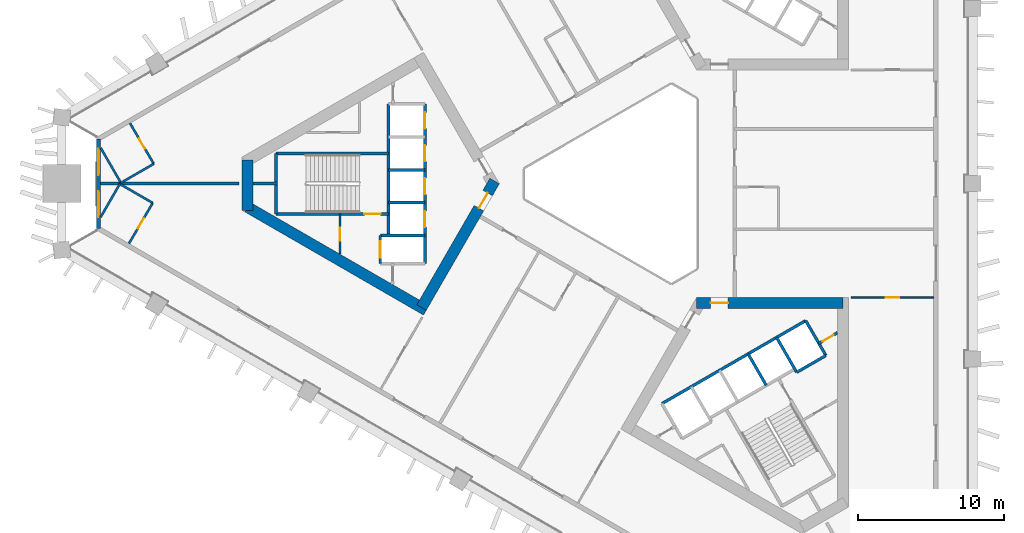
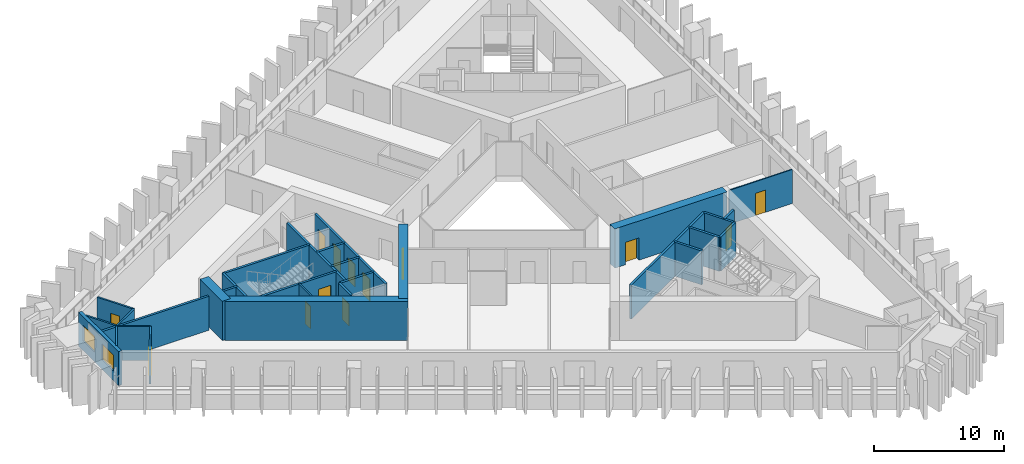
# One storey, part 4 of 11: 30 walls, 13 doors, 2 windows, 15 openings.
"""IFC4 building model written with IfcOpenShell, lengths in metres."""

from ifc_helpers import new_model, si_unit, direction, frame, frame_2d, origin, place, context, subcontext, project, spatial, rectangle, extrude, material, layer, layer_set, type_object, element, fill, save


model = new_model("IFC4")

# Units and contexts
model_context = context("Model", 3, precision=1e-05, world=origin(), true_north=direction((0.0, 1.0)))
body_context = subcontext(model_context, "Body", "Model", "MODEL_VIEW")
ifc_project = project(units=[si_unit("LENGTHUNIT", "METRE"), si_unit("AREAUNIT", "SQUARE_METRE"), si_unit("VOLUMEUNIT", "CUBIC_METRE"), si_unit("PLANEANGLEUNIT", "RADIAN"), si_unit("MASSUNIT", "GRAM", prefix="KILO")], contexts=[model_context])

# Site, building, storey
site_placement = place(None, origin())
site = spatial("IfcSite", under=ifc_project, at=site_placement, CompositionType="ELEMENT")
building_placement = place(site_placement, origin())
building = spatial("IfcBuilding", under=site, at=building_placement, Name="Jabali Bay Hotel Tower and Convention Centre", CompositionType="ELEMENT")
storey_placement = place(building_placement, frame((0.0, 0.0, 61.0)))
storey = spatial("IfcBuildingStorey", under=building, at=storey_placement, Name="L13", CompositionType="ELEMENT", Elevation=61.0)

# Wall
ifc_material_1 = material(Name="Concrete C40", Category="concrete")
ifc_layer_1 = layer(ifc_material_1, 0.199951171875)
ifc_layer_set_1 = layer_set([ifc_layer_1], Name="Concrete C40")
wall_type_1 = type_object("IfcWallType", Name="Core partition wall 200", PredefinedType="PARTITIONING", material=ifc_layer_set_1)
wall_1_placement = place(storey_placement, frame((50.820068359375, 80.0, 0.0), z_axis=(0.0, 0.0, 1.0), x_axis=(-1.0, 0.0, 0.0)))
element("IfcWall", 1, at=wall_1_placement, inside=storey, type_object=wall_type_1, Name="Core wall 0.5 L13", PredefinedType="PARTITIONING", context=body_context, shape_type="SweptSolid", body=[
    extrude(rectangle(XDim=1.673095703125, YDim=0.199951171875, at=frame_2d((0.83642578125, 0.0))), origin(), (0.0, 0.0, 1.0), 3.199951171875),
])

# Wall, opening, door
wall_2_placement = place(storey_placement, frame((87.86474609375, 69.067626953125, 0.0), z_axis=(0.0, 0.0, 1.0), x_axis=(0.865982457891, 0.500074377092, 0.0)))
wall_2 = element("IfcWall", 2, at=wall_2_placement, inside=storey, type_object=wall_type_1, Name="Core wall 2.12 L13", PredefinedType="PARTITIONING", context=body_context, shape_type="SweptSolid", body=[
    extrude(rectangle(XDim=1.461181640625, YDim=0.199951171875, at=frame_2d((0.73046875, 0.0))), origin(), (0.0, 0.0, 1.0), 3.199951171875),
])
opening_1_placement = place(wall_2_placement, frame((0.280517578125, 0.0, 0.0)))
opening_1 = element("IfcOpeningElement", 3, at=opening_1_placement, cuts=wall_2, Name="Opening D362", PredefinedType="OPENING", context=body_context, shape_type="SweptSolid", body=[
    extrude(rectangle(XDim=0.89990234375, YDim=2.10009765625, at=frame_2d((0.449951171875, 1.050048828125))), frame((0.0, 0.1103515625, 0.0), z_axis=(0.0, -1.0, 0.0), x_axis=(1.0, 0.0, 0.0)), (0.0, 0.0, 1.0), 0.220947265625),
])
ifc_material_2 = material(Name="Fire-rated steel door", Category="steel")
door_type_1 = type_object("IfcDoorType", Name="Vestibule fire door 900 x 2100", OperationType="NOTDEFINED", PredefinedType="NOTDEFINED", material=ifc_material_2)
door_1_placement = place(opening_1_placement, origin())
door_1 = element("IfcDoor", 4, at=door_1_placement, inside=storey, type_object=door_type_1, Name="Vestibule fire door D362", OperationType="SINGLE_SWING_LEFT", OverallHeight=2.10009765625, OverallWidth=0.89990234375, PredefinedType="NOTDEFINED", context=body_context, shape_type="SweptSolid", body=[
    extrude(rectangle(XDim=0.89990234375, YDim=2.10009765625, at=frame_2d((0.449951171875, 1.050048828125))), frame((0.0, 0.02490234375, 0.0), z_axis=(0.0, -1.0, 0.0), x_axis=(1.0, 0.0, 0.0)), (0.0, 0.0, 1.0), 0.050048828125),
])
fill(opening_1, door_1)

ifc_material_3 = material(Name="Fire-rated board partition")
ifc_layer_2 = layer(ifc_material_3, 0.14990234375)
ifc_layer_set_2 = layer_set([ifc_layer_2], Name="Fire-rated board partition")
wall_type_2 = type_object("IfcWallType", Name="Core room partition 150", PredefinedType="PARTITIONING", material=ifc_layer_set_2)
wall_3_placement = place(storey_placement, frame((55.10009765625, 77.925048828125, 0.0), z_axis=(0.0, 0.0, 1.0), x_axis=(0.0, -1.0, 0.0)))
wall_3 = element("IfcWall", 5, at=wall_3_placement, inside=storey, type_object=wall_type_2, Name="Core wall 0.16 L13", PredefinedType="PARTITIONING", context=body_context, shape_type="SweptSolid", body=[
    extrude(rectangle(XDim=2.751708984375, YDim=0.14990234375, at=frame_2d((1.3759765625, 0.0))), origin(), (0.0, 0.0, 1.0), 3.199951171875),
])
opening_2_placement = place(wall_3_placement, frame((0.92578125, 0.0, 0.0)))
opening_2 = element("IfcOpeningElement", 6, at=opening_2_placement, cuts=wall_3, Name="Opening D347", PredefinedType="OPENING", context=body_context, shape_type="SweptSolid", body=[
    extrude(rectangle(XDim=0.89990234375, YDim=2.10009765625, at=frame_2d((0.449951171875, 1.050048828125))), frame((0.0, 0.08544921875, 0.0), z_axis=(0.0, -1.0, 0.0), x_axis=(1.0, 0.0, 0.0)), (0.0, 0.0, 1.0), 0.1708984375),
])
door_type_2 = type_object("IfcDoorType", Name="Core room door 900 x 2100", OperationType="NOTDEFINED", PredefinedType="NOTDEFINED", material=ifc_material_2)
door_2_placement = place(opening_2_placement, origin())
door_2 = element("IfcDoor", 7, at=door_2_placement, inside=storey, type_object=door_type_2, Name="Core room door D347", OperationType="SINGLE_SWING_LEFT", OverallHeight=2.10009765625, OverallWidth=0.89990234375, PredefinedType="NOTDEFINED", context=body_context, shape_type="SweptSolid", body=[
    extrude(rectangle(XDim=0.89990234375, YDim=2.10009765625, at=frame_2d((0.449951171875, 1.050048828125))), frame((0.0, 0.02490234375, 0.0), z_axis=(0.0, -1.0, 0.0), x_axis=(1.0, 0.0, 0.0)), (0.0, 0.0, 1.0), 0.050048828125),
])
fill(opening_2, door_2)

# Walls
ifc_layer_3 = layer(ifc_material_1, 0.199951171875)
ifc_layer_set_3 = layer_set([ifc_layer_3], Name="Concrete C40")
wall_type_3 = type_object("IfcWallType", Name="Core stair wall 200", PredefinedType="SOLIDWALL", material=ifc_layer_set_3)
wall_4_placement = place(storey_placement, frame((58.419921875, 82.074951171875, 0.0), z_axis=(0.0, 0.0, 1.0), x_axis=(-1.0, 0.0, 0.0)))
element("IfcWall", 8, at=wall_4_placement, inside=storey, type_object=wall_type_3, Name="Core wall 0.3 L13", PredefinedType="SOLIDWALL", context=body_context, shape_type="SweptSolid", body=[
    extrude(rectangle(XDim=7.699951171875, YDim=0.199951171875, at=frame_2d((3.85009765625, 0.0))), origin(), (0.0, 0.0, 1.0), 3.199951171875),
])
for number, where, z_axis, x_axis, name in (
    (9, (60.89990234375, 80.949951171875, 0.0), (0.0, 0.0, 1.0), (-1.0, 0.0, 0.0), "Core wall 0.4 L13"),
    (10, (60.89990234375, 78.699951171875, 0.0), (0.0, 0.0, 1.0), (-1.0, 0.0, 0.0), "Core wall 0.6 L13"),
):
    element("IfcWall", number, at=place(storey_placement, frame(where, z_axis=z_axis, x_axis=x_axis)), inside=storey, type_object=wall_type_3, Name=name, PredefinedType="SOLIDWALL", context=body_context, shape_type="SweptSolid", body=[
        extrude(rectangle(XDim=2.47998046875, YDim=0.199951171875, at=frame_2d((1.239990234375, 0.0))), origin(), (0.0, 0.0, 1.0), 3.199951171875),
    ])

# Wall, opening, door
wall_5_placement = place(storey_placement, frame((58.419921875, 77.925048828125, 0.0), z_axis=(0.0, 0.0, 1.0), x_axis=(-1.0, 0.0, 0.0)))
wall_5 = element("IfcWall", 11, at=wall_5_placement, inside=storey, type_object=wall_type_3, Name="Core wall 0.7 L13", PredefinedType="SOLIDWALL", context=body_context, shape_type="SweptSolid", body=[
    extrude(rectangle(XDim=7.699951171875, YDim=0.199951171875, at=frame_2d((3.85009765625, 0.0))), origin(), (0.0, 0.0, 1.0), 3.199951171875),
])
opening_3_placement = place(wall_5_placement, frame((0.550048828125, 0.0, 0.0)))
opening_3 = element("IfcOpeningElement", 12, at=opening_3_placement, cuts=wall_5, Name="Opening D350", PredefinedType="OPENING", context=body_context, shape_type="SweptSolid", body=[
    extrude(rectangle(XDim=1.10009765625, YDim=2.10009765625, at=frame_2d((0.550048828125, 1.050048828125))), frame((0.0, 0.1103515625, 0.0), z_axis=(0.0, -1.0, 0.0), x_axis=(1.0, 0.0, 0.0)), (0.0, 0.0, 1.0), 0.220947265625),
])
door_type_3 = type_object("IfcDoorType", Name="Stair fire door 1100 x 2100", OperationType="NOTDEFINED", PredefinedType="NOTDEFINED", material=ifc_material_2)
door_3_placement = place(opening_3_placement, origin())
door_3 = element("IfcDoor", 13, at=door_3_placement, inside=storey, type_object=door_type_3, Name="Stair fire door D350", OperationType="SINGLE_SWING_RIGHT", OverallHeight=2.10009765625, OverallWidth=1.10009765625, PredefinedType="NOTDEFINED", context=body_context, shape_type="SweptSolid", body=[
    extrude(rectangle(XDim=1.10009765625, YDim=2.10009765625, at=frame_2d((0.550048828125, 1.050048828125))), frame((0.0, 0.02490234375, 0.0), z_axis=(0.0, -1.0, 0.0), x_axis=(1.0, 0.0, 0.0)), (0.0, 0.0, 1.0), 0.050048828125),
])
fill(opening_3, door_3)

# Wall
wall_6_placement = place(storey_placement, frame((60.89990234375, 76.449951171875, 0.0), z_axis=(0.0, 0.0, 1.0), x_axis=(-1.0, 0.0, 0.0)))
element("IfcWall", 14, at=wall_6_placement, inside=storey, type_object=wall_type_3, Name="Core wall 0.8 L13", PredefinedType="SOLIDWALL", context=body_context, shape_type="SweptSolid", body=[
    extrude(rectangle(XDim=3.0498046875, YDim=0.199951171875, at=frame_2d((1.52490234375, 0.0))), origin(), (0.0, 0.0, 1.0), 3.199951171875),
])

# Wall, openings, doors
wall_7_placement = place(storey_placement, frame((60.89990234375, 85.449951171875, 0.0), z_axis=(0.0, 0.0, 1.0), x_axis=(0.0, -1.0, 0.0)))
wall_7 = element("IfcWall", 15, at=wall_7_placement, inside=storey, type_object=wall_type_3, Name="Core wall 0.10 L13", PredefinedType="SOLIDWALL", context=body_context, shape_type="SweptSolid", body=[
    extrude(rectangle(XDim=10.89990234375, YDim=0.199951171875, at=frame_2d((5.449951171875, 0.0))), origin(), (0.0, 0.0, 1.0), 3.199951171875),
])
opening_4_placement = place(wall_7_placement, frame((0.574951171875, 0.0, 0.0)))
opening_4 = element("IfcOpeningElement", 16, at=opening_4_placement, cuts=wall_7, Name="Opening LD1-L13", PredefinedType="OPENING", context=body_context, shape_type="SweptSolid", body=[
    extrude(rectangle(XDim=1.10009765625, YDim=2.10009765625, at=frame_2d((0.550048828125, 1.050048828125))), frame((0.0, 0.1103515625, 0.0), z_axis=(0.0, -1.0, 0.0), x_axis=(1.0, 0.0, 0.0)), (0.0, 0.0, 1.0), 0.220947265625),
])
opening_5_placement = place(wall_7_placement, frame((2.824951171875, 0.0, 0.0)))
opening_5 = element("IfcOpeningElement", 17, at=opening_5_placement, cuts=wall_7, Name="Opening LD2-L13", PredefinedType="OPENING", context=body_context, shape_type="SweptSolid", body=[
    extrude(rectangle(XDim=1.10009765625, YDim=2.10009765625, at=frame_2d((0.550048828125, 1.050048828125))), frame((0.0, 0.1103515625, 0.0), z_axis=(0.0, -1.0, 0.0), x_axis=(1.0, 0.0, 0.0)), (0.0, 0.0, 1.0), 0.220947265625),
])
opening_6_placement = place(wall_7_placement, frame((5.074951171875, 0.0, 0.0)))
opening_6 = element("IfcOpeningElement", 18, at=opening_6_placement, cuts=wall_7, Name="Opening LD3-L13", PredefinedType="OPENING", context=body_context, shape_type="SweptSolid", body=[
    extrude(rectangle(XDim=1.10009765625, YDim=2.10009765625, at=frame_2d((0.550048828125, 1.050048828125))), frame((0.0, 0.1103515625, 0.0), z_axis=(0.0, -1.0, 0.0), x_axis=(1.0, 0.0, 0.0)), (0.0, 0.0, 1.0), 0.220947265625),
])
opening_7_placement = place(wall_7_placement, frame((7.324951171875, 0.0, 0.0)))
opening_7 = element("IfcOpeningElement", 19, at=opening_7_placement, cuts=wall_7, Name="Opening LD4-L13", PredefinedType="OPENING", context=body_context, shape_type="SweptSolid", body=[
    extrude(rectangle(XDim=1.10009765625, YDim=2.10009765625, at=frame_2d((0.550048828125, 1.050048828125))), frame((0.0, 0.1103515625, 0.0), z_axis=(0.0, -1.0, 0.0), x_axis=(1.0, 0.0, 0.0)), (0.0, 0.0, 1.0), 0.220947265625),
])
ifc_material_4 = material(Name="Stainless steel landing door", Category="steel")
door_type_4 = type_object("IfcDoorType", Name="Landing door 1100 x 2100", OperationType="NOTDEFINED", PredefinedType="NOTDEFINED", material=ifc_material_4)
door_4_placement = place(opening_4_placement, origin())
door_4 = element("IfcDoor", 20, at=door_4_placement, inside=storey, type_object=door_type_4, Name="Landing doors LD1-L13", OperationType="SLIDING_TO_RIGHT", OverallHeight=2.10009765625, OverallWidth=1.10009765625, PredefinedType="NOTDEFINED", context=body_context, shape_type="SweptSolid", body=[
    extrude(rectangle(XDim=1.10009765625, YDim=2.10009765625, at=frame_2d((0.550048828125, 1.050048828125))), frame((0.0, 0.02490234375, 0.0), z_axis=(0.0, -1.0, 0.0), x_axis=(1.0, 0.0, 0.0)), (0.0, 0.0, 1.0), 0.050048828125),
])
fill(opening_4, door_4)
door_5_placement = place(opening_5_placement, origin())
door_5 = element("IfcDoor", 21, at=door_5_placement, inside=storey, type_object=door_type_4, Name="Landing doors LD2-L13", OperationType="SLIDING_TO_LEFT", OverallHeight=2.10009765625, OverallWidth=1.10009765625, PredefinedType="NOTDEFINED", context=body_context, shape_type="SweptSolid", body=[
    extrude(rectangle(XDim=1.10009765625, YDim=2.10009765625, at=frame_2d((0.550048828125, 1.050048828125))), frame((0.0, 0.02490234375, 0.0), z_axis=(0.0, -1.0, 0.0), x_axis=(1.0, 0.0, 0.0)), (0.0, 0.0, 1.0), 0.050048828125),
])
fill(opening_5, door_5)
door_6_placement = place(opening_6_placement, origin())
door_6 = element("IfcDoor", 22, at=door_6_placement, inside=storey, type_object=door_type_4, Name="Landing doors LD3-L13", OperationType="SLIDING_TO_RIGHT", OverallHeight=2.10009765625, OverallWidth=1.10009765625, PredefinedType="NOTDEFINED", context=body_context, shape_type="SweptSolid", body=[
    extrude(rectangle(XDim=1.10009765625, YDim=2.10009765625, at=frame_2d((0.550048828125, 1.050048828125))), frame((0.0, 0.02490234375, 0.0), z_axis=(0.0, -1.0, 0.0), x_axis=(1.0, 0.0, 0.0)), (0.0, 0.0, 1.0), 0.050048828125),
])
fill(opening_6, door_6)
door_7_placement = place(opening_7_placement, origin())
door_7 = element("IfcDoor", 23, at=door_7_placement, inside=storey, type_object=door_type_4, Name="Landing doors LD4-L13", OperationType="SLIDING_TO_LEFT", OverallHeight=2.10009765625, OverallWidth=1.10009765625, PredefinedType="NOTDEFINED", context=body_context, shape_type="SweptSolid", body=[
    extrude(rectangle(XDim=1.10009765625, YDim=2.10009765625, at=frame_2d((0.550048828125, 1.050048828125))), frame((0.0, 0.02490234375, 0.0), z_axis=(0.0, -1.0, 0.0), x_axis=(1.0, 0.0, 0.0)), (0.0, 0.0, 1.0), 0.050048828125),
])
fill(opening_7, door_7)

# Wall
wall_8_placement = place(storey_placement, frame((58.419921875, 85.449951171875, 0.0), z_axis=(0.0, 0.0, 1.0), x_axis=(0.0, -1.0, 0.0)))
element("IfcWall", 24, at=wall_8_placement, inside=storey, type_object=wall_type_3, Name="Core wall 0.13 L13", PredefinedType="SOLIDWALL", context=body_context, shape_type="SweptSolid", body=[
    extrude(rectangle(XDim=9.0, YDim=0.199951171875, at=frame_2d((4.5, 0.0))), origin(), (0.0, 0.0, 1.0), 3.199951171875),
])

# Wall, opening, door
wall_9_placement = place(storey_placement, frame((57.85009765625, 76.449951171875, 0.0), z_axis=(0.0, 0.0, 1.0), x_axis=(0.0, -1.0, 0.0)))
wall_9 = element("IfcWall", 25, at=wall_9_placement, inside=storey, type_object=wall_type_3, Name="Core wall 0.14 L13", PredefinedType="SOLIDWALL", context=body_context, shape_type="SweptSolid", body=[
    extrude(rectangle(XDim=1.89990234375, YDim=0.199951171875, at=frame_2d((0.949951171875, 0.0))), origin(), (0.0, 0.0, 1.0), 3.199951171875),
])
opening_8_placement = place(wall_9_placement, frame((0.39990234375, 0.0, 0.0)))
opening_8 = element("IfcOpeningElement", 26, at=opening_8_placement, cuts=wall_9, Name="Opening LD5-L13", PredefinedType="OPENING", context=body_context, shape_type="SweptSolid", body=[
    extrude(rectangle(XDim=1.10009765625, YDim=2.10009765625, at=frame_2d((0.550048828125, 1.050048828125))), frame((0.0, 0.1103515625, 0.0), z_axis=(0.0, -1.0, 0.0), x_axis=(1.0, 0.0, 0.0)), (0.0, 0.0, 1.0), 0.220947265625),
])
door_8_placement = place(opening_8_placement, origin())
door_8 = element("IfcDoor", 27, at=door_8_placement, inside=storey, type_object=door_type_4, Name="Landing doors LD5-L13", OperationType="SLIDING_TO_RIGHT", OverallHeight=2.10009765625, OverallWidth=1.10009765625, PredefinedType="NOTDEFINED", context=body_context, shape_type="SweptSolid", body=[
    extrude(rectangle(XDim=1.10009765625, YDim=2.10009765625, at=frame_2d((0.550048828125, 1.050048828125))), frame((0.0, 0.02490234375, 0.0), z_axis=(0.0, -1.0, 0.0), x_axis=(1.0, 0.0, 0.0)), (0.0, 0.0, 1.0), 0.050048828125),
])
fill(opening_8, door_8)

# Walls
wall_10_placement = place(storey_placement, frame((50.719970703125, 82.074951171875, 0.0), z_axis=(0.0, 0.0, 1.0), x_axis=(0.0, -1.0, 0.0)))
element("IfcWall", 28, at=wall_10_placement, inside=storey, type_object=wall_type_3, Name="Core wall 0.17 L13", PredefinedType="SOLIDWALL", context=body_context, shape_type="SweptSolid", body=[
    extrude(rectangle(XDim=4.14990234375, YDim=0.199951171875, at=frame_2d((2.074951171875, 0.0))), origin(), (0.0, 0.0, 1.0), 3.199951171875),
])
wall_11_placement = place(storey_placement, frame((83.024169921875, 68.3515625, 0.0), z_axis=(0.0, 0.0, 1.0), x_axis=(0.50000366821, -0.866023285932, 0.0)))
element("IfcWall", 29, at=wall_11_placement, inside=storey, type_object=wall_type_3, Name="Core wall 2.6 L13", PredefinedType="SOLIDWALL", context=body_context, shape_type="SweptSolid", body=[
    extrude(rectangle(XDim=2.47998046875, YDim=0.199951171875, at=frame_2d((1.239990234375, 0.0))), origin(), (0.0, 0.0, 1.0), 3.199951171875),
])
for number, where, z_axis, x_axis, name in (
    (30, (84.972900390625, 69.4765625, 0.0), (0.0, 0.0, 1.0), (0.499996545922, -0.866027397988, 0.0), "Core wall 2.8 L13"),
    (31, (86.964599609375, 70.62646484375, 0.0), (0.0, 0.0, 1.0), (0.499996545922, -0.866027397988, 0.0), "Core wall 2.9 L13"),
):
    element("IfcWall", number, at=place(storey_placement, frame(where, z_axis=z_axis, x_axis=x_axis)), inside=storey, type_object=wall_type_3, Name=name, PredefinedType="SOLIDWALL", context=body_context, shape_type="SweptSolid", body=[
        extrude(rectangle(XDim=2.75, YDim=0.199951171875, at=frame_2d((1.375, 0.0))), origin(), (0.0, 0.0, 1.0), 3.199951171875),
    ])
wall_12_placement = place(storey_placement, frame((77.13525390625, 64.95166015625, 0.0), z_axis=(0.0, 0.0, 1.0), x_axis=(0.866031916153, 0.499988720078, 0.0)))
element("IfcWall", 32, at=wall_12_placement, inside=storey, type_object=wall_type_3, Name="Core wall 2.10 L13", PredefinedType="SOLIDWALL", context=body_context, shape_type="SweptSolid", body=[
    extrude(rectangle(XDim=11.349853515625, YDim=0.199951171875, at=frame_2d((5.6748046875, 0.0))), origin(), (0.0, 0.0, 1.0), 3.199951171875),
])
wall_13_placement = place(storey_placement, frame((86.347900390625, 67.094970703125, 0.0), z_axis=(0.0, 0.0, 1.0), x_axis=(0.86602648383, 0.499998129301, 0.0)))
element("IfcWall", 33, at=wall_13_placement, inside=storey, type_object=wall_type_3, Name="Core wall 2.15 L13", PredefinedType="SOLIDWALL", context=body_context, shape_type="SweptSolid", body=[
    extrude(rectangle(XDim=2.2998046875, YDim=0.199951171875, at=frame_2d((1.14990234375, 0.0))), origin(), (0.0, 0.0, 1.0), 3.199951171875),
])
ifc_material_5 = material(Name="Concrete C60", Category="concrete")
ifc_layer_4 = layer(ifc_material_5, 0.75)
ifc_layer_set_4 = layer_set([ifc_layer_4], Name="Concrete C60")
wall_type_4 = type_object("IfcWallType", Name="Core wall 750", PredefinedType="SHEAR", material=ifc_layer_set_4)
wall_14_placement = place(storey_placement, frame((48.77197265625, 81.606201171875, 0.0), z_axis=(0.0, 0.0, 1.0), x_axis=(0.0, -1.0, 0.0)))
element("IfcWall", 34, at=wall_14_placement, inside=storey, type_object=wall_type_4, Name="Core wall 1.3 L13", PredefinedType="SHEAR", context=body_context, shape_type="SweptSolid", body=[
    extrude(rectangle(XDim=3.428955078125, YDim=0.75, at=frame_2d((1.71435546875, 0.0))), origin(), (0.0, 0.0, 1.0), 3.699951171875),
])
wall_15_placement = place(storey_placement, frame((48.77197265625, 78.393798828125, 0.0), z_axis=(0.0, 0.0, 1.0), x_axis=(0.866028339916, -0.499994914436, 0.0)))
element("IfcWall", 35, at=wall_15_placement, inside=storey, type_object=wall_type_4, Name="Core wall 1.4 L13", PredefinedType="SHEAR", context=body_context, shape_type="SweptSolid", body=[
    extrude(rectangle(XDim=14.116943359375, YDim=0.75, at=frame_2d((7.05859375, 0.0))), origin(), (0.0, 0.0, 1.0), 3.699951171875),
])

# Wall, opening, door
wall_16_placement = place(storey_placement, frame((60.6728515625, 71.52294921875, 0.0), z_axis=(0.0, 0.0, 1.0), x_axis=(0.499997052475, 0.866027105532, 0.0)))
wall_16 = element("IfcWall", 36, at=wall_16_placement, inside=storey, type_object=wall_type_4, Name="Core wall 1.5 L13", PredefinedType="SHEAR", context=body_context, shape_type="SweptSolid", body=[
    extrude(rectangle(XDim=10.0048828125, YDim=0.75, at=frame_2d((5.00244140625, 0.0))), origin(), (0.0, 0.0, 1.0), 3.699951171875),
])
opening_9_placement = place(wall_16_placement, frame((7.85498046875, 0.0, 0.0)))
opening_9 = element("IfcOpeningElement", 37, at=opening_9_placement, cuts=wall_16, Name="Opening D346", PredefinedType="OPENING", context=body_context, shape_type="SweptSolid", body=[
    extrude(rectangle(XDim=1.199951171875, YDim=2.10009765625, at=frame_2d((0.60009765625, 1.050048828125))), frame((0.0, 0.385498046875, 0.0), z_axis=(0.0, -1.0, 0.0), x_axis=(1.0, 0.0, 0.0)), (0.0, 0.0, 1.0), 0.77099609375),
])
door_type_5 = type_object("IfcDoorType", Name="Corridor end fire door 1200 x 2100", OperationType="NOTDEFINED", PredefinedType="NOTDEFINED", material=ifc_material_2)
door_9_placement = place(opening_9_placement, origin())
door_9 = element("IfcDoor", 38, at=door_9_placement, inside=storey, type_object=door_type_5, Name="Corridor end fire door D346", OperationType="SINGLE_SWING_LEFT", OverallHeight=2.10009765625, OverallWidth=1.199951171875, PredefinedType="NOTDEFINED", context=body_context, shape_type="SweptSolid", body=[
    extrude(rectangle(XDim=1.199951171875, YDim=2.10009765625, at=frame_2d((0.60009765625, 1.050048828125))), frame((0.0, 0.02490234375, 0.0), z_axis=(0.0, -1.0, 0.0), x_axis=(1.0, 0.0, 0.0)), (0.0, 0.0, 1.0), 0.050048828125),
])
fill(opening_9, door_9)

wall_17_placement = place(storey_placement, frame((89.5048828125, 71.830810546875, 0.0), z_axis=(0.0, 0.0, 1.0), x_axis=(-1.0, 0.0, 0.0)))
wall_17 = element("IfcWall", 39, at=wall_17_placement, inside=storey, type_object=wall_type_4, Name="Core wall 3.5 L13", PredefinedType="SHEAR", context=body_context, shape_type="SweptSolid", body=[
    extrude(rectangle(XDim=10.0048828125, YDim=0.75, at=frame_2d((5.00244140625, 0.0))), origin(), (0.0, 0.0, 1.0), 3.699951171875),
])
opening_10_placement = place(wall_17_placement, frame((7.85498046875, 0.0, 0.0)))
opening_10 = element("IfcOpeningElement", 40, at=opening_10_placement, cuts=wall_17, Name="Opening D360", PredefinedType="OPENING", context=body_context, shape_type="SweptSolid", body=[
    extrude(rectangle(XDim=1.199951171875, YDim=2.10009765625, at=frame_2d((0.60009765625, 1.050048828125))), frame((0.0, 0.385498046875, 0.0), z_axis=(0.0, -1.0, 0.0), x_axis=(1.0, 0.0, 0.0)), (0.0, 0.0, 1.0), 0.77099609375),
])
door_10_placement = place(opening_10_placement, origin())
door_10 = element("IfcDoor", 41, at=door_10_placement, inside=storey, type_object=door_type_5, Name="Corridor end fire door D360", OperationType="SINGLE_SWING_LEFT", OverallHeight=2.10009765625, OverallWidth=1.199951171875, PredefinedType="NOTDEFINED", context=body_context, shape_type="SweptSolid", body=[
    extrude(rectangle(XDim=1.199951171875, YDim=2.10009765625, at=frame_2d((0.60009765625, 1.050048828125))), frame((0.0, 0.02490234375, 0.0), z_axis=(0.0, -1.0, 0.0), x_axis=(1.0, 0.0, 0.0)), (0.0, 0.0, 1.0), 0.050048828125),
])
fill(opening_10, door_10)

# Wall, openings, windows
ifc_layer_5 = layer(ifc_material_1, 0.300048828125)
ifc_layer_set_5 = layer_set([ifc_layer_5], Name="Concrete C40")
wall_type_5 = type_object("IfcWallType", Name="External wall 300", PredefinedType="SOLIDWALL", material=ifc_layer_set_5)
wall_18_placement = place(storey_placement, frame((38.5712890625, 76.9287109375, 0.0), z_axis=(0.0, 0.0, 1.0), x_axis=(0.0, 1.0, 0.0)))
wall_18 = element("IfcWall", 42, at=wall_18_placement, inside=storey, type_object=wall_type_5, Name="External wall west chamfer L13", PredefinedType="SOLIDWALL", context=body_context, shape_type="SweptSolid", body=[
    extrude(rectangle(XDim=6.142578125, YDim=0.300048828125, at=frame_2d((3.0712890625, 0.0))), origin(), (0.0, 0.0, 1.0), 3.199951171875),
])
opening_11_placement = place(wall_18_placement, frame((3.65576171875, 0.0, 0.89990234375)))
opening_11 = element("IfcOpeningElement", 43, at=opening_11_placement, cuts=wall_18, Name="Opening W1", PredefinedType="OPENING", context=body_context, shape_type="SweptSolid", body=[
    extrude(rectangle(XDim=1.800048828125, YDim=1.5, at=frame_2d((0.89990234375, 0.75))), frame((0.0, 0.16064453125, 0.0), z_axis=(0.0, -1.0, 0.0), x_axis=(1.0, 0.0, 0.0)), (0.0, 0.0, 1.0), 0.321044921875),
])
opening_12_placement = place(wall_18_placement, frame((0.7705078125, 0.0, 0.89990234375)))
opening_12 = element("IfcOpeningElement", 44, at=opening_12_placement, cuts=wall_18, Name="Opening W1", PredefinedType="OPENING", context=body_context, shape_type="SweptSolid", body=[
    extrude(rectangle(XDim=1.800048828125, YDim=1.5, at=frame_2d((0.89990234375, 0.75))), frame((0.0, 0.16064453125, 0.0), z_axis=(0.0, -1.0, 0.0), x_axis=(1.0, 0.0, 0.0)), (0.0, 0.0, 1.0), 0.321044921875),
])
ifc_material_6 = material(Name="Glass", Category="glass")
window_type = type_object("IfcWindowType", Name="Window 1800 x 1500", PartitioningType="SINGLE_PANEL", PredefinedType="WINDOW", material=ifc_material_6)
window_1_placement = place(opening_11_placement, origin())
window_1 = element("IfcWindow", 45, at=window_1_placement, inside=storey, type_object=window_type, Name="Window 1306", OverallHeight=1.5, OverallWidth=1.800048828125, PartitioningType="SINGLE_PANEL", PredefinedType="WINDOW", context=body_context, shape_type="SweptSolid", body=[
    extrude(rectangle(XDim=1.800048828125, YDim=1.5, at=frame_2d((0.89990234375, 0.75))), frame((0.0, 0.030029296875, 0.0), z_axis=(0.0, -1.0, 0.0), x_axis=(1.0, 0.0, 0.0)), (0.0, 0.0, 1.0), 0.06005859375),
])
fill(opening_11, window_1)
window_2_placement = place(opening_12_placement, origin())
window_2 = element("IfcWindow", 46, at=window_2_placement, inside=storey, type_object=window_type, Name="Window 1307", OverallHeight=1.5, OverallWidth=1.800048828125, PartitioningType="SINGLE_PANEL", PredefinedType="WINDOW", context=body_context, shape_type="SweptSolid", body=[
    extrude(rectangle(XDim=1.800048828125, YDim=1.5, at=frame_2d((0.89990234375, 0.75))), frame((0.0, 0.030029296875, 0.0), z_axis=(0.0, -1.0, 0.0), x_axis=(1.0, 0.0, 0.0)), (0.0, 0.0, 1.0), 0.06005859375),
])
fill(opening_12, window_2)

# Wall, opening, door
ifc_material_7 = material(Name="Plasterboard on steel stud", Category="steel")
ifc_layer_6 = layer(ifc_material_7, 0.10009765625)
ifc_layer_set_6 = layer_set([ifc_layer_6], Name="Plasterboard on steel stud")
wall_type_6 = type_object("IfcWallType", Name="Partition 100 unit", PredefinedType="PARTITIONING", material=ifc_layer_set_6)
wall_19_placement = place(storey_placement, frame((90.0791015625, 72.205810546875, 0.0), z_axis=(0.0, 0.0, 1.0), x_axis=(1.0, 0.0, 0.0)))
wall_19 = element("IfcWall", 47, at=wall_19_placement, inside=storey, type_object=wall_type_6, Name="Partition P02 L13 001", PredefinedType="PARTITIONING", context=body_context, shape_type="SweptSolid", body=[
    extrude(rectangle(XDim=5.64599609375, YDim=0.10009765625, at=frame_2d((2.822998046875, 0.0))), origin(), (0.0, 0.0, 1.0), 3.199951171875),
])
opening_13_placement = place(wall_19_placement, frame((2.373046875, 0.0, 0.0)))
opening_13 = element("IfcOpeningElement", 48, at=opening_13_placement, cuts=wall_19, Name="Opening 1302", PredefinedType="OPENING", context=body_context, shape_type="SweptSolid", body=[
    extrude(rectangle(XDim=0.89990234375, YDim=2.10009765625, at=frame_2d((0.449951171875, 1.050048828125))), frame((0.0, 0.060546875, 0.0), z_axis=(0.0, -1.0, 0.0), x_axis=(1.0, 0.0, 0.0)), (0.0, 0.0, 1.0), 0.12109375),
])
ifc_material_8 = material(Name="Timber", Category="wood")
door_type_6 = type_object("IfcDoorType", Name="Internal door 900 x 2100", OperationType="NOTDEFINED", PredefinedType="NOTDEFINED", material=ifc_material_8)
door_11_placement = place(opening_13_placement, origin())
door_11 = element("IfcDoor", 49, at=door_11_placement, inside=storey, type_object=door_type_6, Name="Door 1302", OperationType="SINGLE_SWING_LEFT", OverallHeight=2.10009765625, OverallWidth=0.89990234375, PredefinedType="NOTDEFINED", context=body_context, shape_type="SweptSolid", body=[
    extrude(rectangle(XDim=0.89990234375, YDim=2.10009765625, at=frame_2d((0.449951171875, 1.050048828125))), frame((0.0, 0.02490234375, 0.0), z_axis=(0.0, -1.0, 0.0), x_axis=(1.0, 0.0, 0.0)), (0.0, 0.0, 1.0), 0.050048828125),
])
fill(opening_13, door_11)

ifc_layer_7 = layer(ifc_material_7, 0.14990234375)
ifc_layer_set_7 = layer_set([ifc_layer_7], Name="Plasterboard on steel stud")
wall_type_7 = type_object("IfcWallType", Name="Partition 150 wet", PredefinedType="PARTITIONING", material=ifc_layer_set_7)
wall_20_placement = place(storey_placement, frame((40.7236328125, 84.141845703125, 0.0), z_axis=(0.0, 0.0, 1.0), x_axis=(0.505076014617, -0.863074863183, 0.0)))
wall_20 = element("IfcWall", 50, at=wall_20_placement, inside=storey, type_object=wall_type_7, Name="Partition P03 L13 025", PredefinedType="PARTITIONING", context=body_context, shape_type="SweptSolid", body=[
    extrude(rectangle(XDim=3.2236328125, YDim=0.14990234375, at=frame_2d((1.61181640625, 0.0))), origin(), (0.0, 0.0, 1.0), 3.199951171875),
])
opening_14_placement = place(wall_20_placement, frame((1.2119140625, 0.0, 0.0)))
opening_14 = element("IfcOpeningElement", 51, at=opening_14_placement, cuts=wall_20, Name="Opening 1316", PredefinedType="OPENING", context=body_context, shape_type="SweptSolid", body=[
    extrude(rectangle(XDim=0.800048828125, YDim=2.10009765625, at=frame_2d((0.39990234375, 1.050048828125))), frame((0.0, 0.08544921875, 0.0), z_axis=(0.0, -1.0, 0.0), x_axis=(1.0, 0.0, 0.0)), (0.0, 0.0, 1.0), 0.1708984375),
])
door_type_7 = type_object("IfcDoorType", Name="En-suite door 800 x 2100", OperationType="NOTDEFINED", PredefinedType="NOTDEFINED", material=ifc_material_8)
door_12_placement = place(opening_14_placement, origin())
door_12 = element("IfcDoor", 52, at=door_12_placement, inside=storey, type_object=door_type_7, Name="Door 1316", OperationType="SINGLE_SWING_LEFT", OverallHeight=2.10009765625, OverallWidth=0.800048828125, PredefinedType="NOTDEFINED", context=body_context, shape_type="SweptSolid", body=[
    extrude(rectangle(XDim=0.800048828125, YDim=2.10009765625, at=frame_2d((0.39990234375, 1.050048828125))), frame((0.0, 0.02490234375, 0.0), z_axis=(0.0, -1.0, 0.0), x_axis=(1.0, 0.0, 0.0)), (0.0, 0.0, 1.0), 0.050048828125),
])
fill(opening_14, door_12)

# Walls
wall_21_placement = place(storey_placement, frame((42.351806640625, 81.359619140625, 0.0), z_axis=(0.0, 0.0, 1.0), x_axis=(-0.865997922154, -0.500047596559, 0.0)))
element("IfcWall", 53, at=wall_21_placement, inside=storey, type_object=wall_type_7, Name="Partition P03 L13 026", PredefinedType="PARTITIONING", context=body_context, shape_type="SweptSolid", body=[
    extrude(rectangle(XDim=2.599853515625, YDim=0.14990234375, at=frame_2d((1.2998046875, 0.0))), origin(), (0.0, 0.0, 1.0), 3.199951171875),
])
wall_22_placement = place(storey_placement, frame((40.100341796875, 80.0595703125, 0.0), z_axis=(0.0, 0.0, 1.0), x_axis=(-0.50001084716, 0.866019141083, 0.0)))
element("IfcWall", 54, at=wall_22_placement, inside=storey, type_object=wall_type_7, Name="Partition P03 L13 027", PredefinedType="PARTITIONING", context=body_context, shape_type="SweptSolid", body=[
    extrude(rectangle(XDim=2.76025390625, YDim=0.14990234375, at=frame_2d((1.380126953125, 0.0))), origin(), (0.0, 0.0, 1.0), 3.199951171875),
])
wall_23_placement = place(storey_placement, frame((38.72021484375, 77.7177734375, 0.0), z_axis=(0.0, 0.0, 1.0), x_axis=(0.499964911226, 0.86604566135, 0.0)))
element("IfcWall", 55, at=wall_23_placement, inside=storey, type_object=wall_type_7, Name="Partition P03 L13 032", PredefinedType="PARTITIONING", context=body_context, shape_type="SweptSolid", body=[
    extrude(rectangle(XDim=2.614990234375, YDim=0.14990234375, at=frame_2d((1.3076171875, 0.0))), origin(), (0.0, 0.0, 1.0), 3.199951171875),
])
wall_24_placement = place(storey_placement, frame((40.027587890625, 79.982421875, 0.0), z_axis=(0.0, 0.0, 1.0), x_axis=(0.866021400173, -0.500006934395, 0.0)))
element("IfcWall", 56, at=wall_24_placement, inside=storey, type_object=wall_type_7, Name="Partition P03 L13 033", PredefinedType="PARTITIONING", context=body_context, shape_type="SweptSolid", body=[
    extrude(rectangle(XDim=2.60009765625, YDim=0.14990234375, at=frame_2d((1.300048828125, 0.0))), origin(), (0.0, 0.0, 1.0), 3.199951171875),
])

# Wall, opening, door
wall_25_placement = place(storey_placement, frame((42.279296875, 78.682373046875, 0.0), z_axis=(0.0, 0.0, 1.0), x_axis=(-0.505132426168, -0.863041848367, 0.0)))
wall_25 = element("IfcWall", 57, at=wall_25_placement, inside=storey, type_object=wall_type_7, Name="Partition P03 L13 034", PredefinedType="PARTITIONING", context=body_context, shape_type="SweptSolid", body=[
    extrude(rectangle(XDim=3.2236328125, YDim=0.14990234375, at=frame_2d((1.61181640625, 0.0))), origin(), (0.0, 0.0, 1.0), 3.199951171875),
])
opening_15_placement = place(wall_25_placement, frame((1.2119140625, 0.0, 0.0)))
opening_15 = element("IfcOpeningElement", 58, at=opening_15_placement, cuts=wall_25, Name="Opening 1319", PredefinedType="OPENING", context=body_context, shape_type="SweptSolid", body=[
    extrude(rectangle(XDim=0.800048828125, YDim=2.10009765625, at=frame_2d((0.39990234375, 1.050048828125))), frame((0.0, 0.08544921875, 0.0), z_axis=(0.0, -1.0, 0.0), x_axis=(1.0, 0.0, 0.0)), (0.0, 0.0, 1.0), 0.1708984375),
])
door_13_placement = place(opening_15_placement, origin())
door_13 = element("IfcDoor", 59, at=door_13_placement, inside=storey, type_object=door_type_7, Name="Door 1319", OperationType="SINGLE_SWING_LEFT", OverallHeight=2.10009765625, OverallWidth=0.800048828125, PredefinedType="NOTDEFINED", context=body_context, shape_type="SweptSolid", body=[
    extrude(rectangle(XDim=0.800048828125, YDim=2.10009765625, at=frame_2d((0.39990234375, 1.050048828125))), frame((0.0, 0.02490234375, 0.0), z_axis=(0.0, -1.0, 0.0), x_axis=(1.0, 0.0, 0.0)), (0.0, 0.0, 1.0), 0.050048828125),
])
fill(opening_15, door_13)

# Wall
ifc_layer_8 = layer(ifc_material_7, 0.199951171875)
ifc_layer_set_8 = layer_set([ifc_layer_8], Name="Plasterboard on steel stud")
wall_type_8 = type_object("IfcWallType", Name="Partition 200 party", PredefinedType="PARTITIONING", material=ifc_layer_set_8)
wall_26_placement = place(storey_placement, frame((38.72021484375, 80.0, 0.0), z_axis=(0.0, 0.0, 1.0), x_axis=(1.0, 0.0, 0.0)))
element("IfcWall", 60, at=wall_26_placement, inside=storey, type_object=wall_type_8, Name="Partition P01 L13 028", PredefinedType="PARTITIONING", context=body_context, shape_type="SweptSolid", body=[
    extrude(rectangle(XDim=9.477783203125, YDim=0.199951171875, at=frame_2d((4.73876953125, 0.0))), origin(), (0.0, 0.0, 1.0), 3.199951171875),
])

save(model, "model.ifc")
